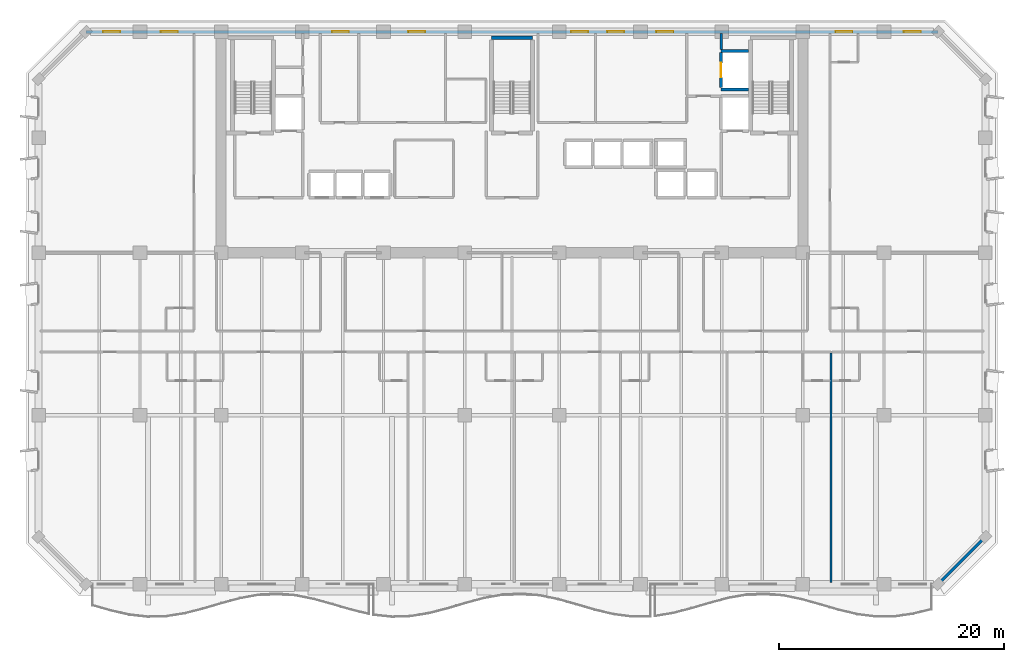
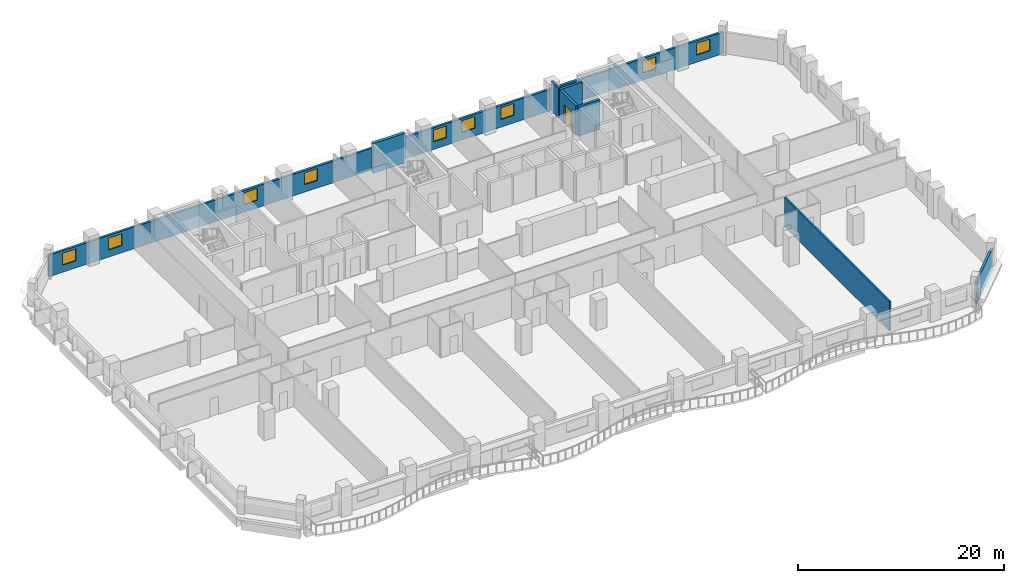
# One storey, part 8 of 14: 9 windows, 8 walls, 1 door, 10 openings.
"""IFC4 building model written with IfcOpenShell, lengths in metres."""

from ifc_helpers import new_model, si_unit, direction, frame, frame_2d, origin, place, context, subcontext, project, spatial, rectangle, extrude, material, layer, layer_set, type_object, element, fill, save


model = new_model("IFC4")

# Units and contexts
model_context = context("Model", 3, precision=1e-05, world=origin(), true_north=direction((0.0, 1.0)))
body_context = subcontext(model_context, "Body", "Model", "MODEL_VIEW")
ifc_project = project(units=[si_unit("LENGTHUNIT", "METRE"), si_unit("AREAUNIT", "SQUARE_METRE"), si_unit("VOLUMEUNIT", "CUBIC_METRE"), si_unit("PLANEANGLEUNIT", "RADIAN"), si_unit("MASSUNIT", "GRAM", prefix="KILO")], contexts=[model_context])

# Site, building, storey
site_placement = place(None, origin())
site = spatial("IfcSite", under=ifc_project, at=site_placement, CompositionType="ELEMENT")
building_placement = place(site_placement, origin())
building = spatial("IfcBuilding", under=site, at=building_placement, Name="Kaelvorn Grand Hotel", CompositionType="ELEMENT")
storey_placement = place(building_placement, frame((0.0, 0.0, 93.050048828125)))
storey = spatial("IfcBuildingStorey", under=building, at=storey_placement, Name="L21", CompositionType="ELEMENT", Elevation=93.050048828125)

# Wall
ifc_material_1 = material(Name="Concrete C40/50", Category="concrete")
ifc_layer_1 = layer(ifc_material_1, 0.260009765625)
ifc_layer_set_1 = layer_set([ifc_layer_1], Name="Concrete C40/50")
wall_type_1 = type_object("IfcWallType", Name="WL-EXT-260-C40", PredefinedType="SOLIDWALL", material=ifc_layer_set_1)
wall_1_placement = place(storey_placement, frame((79.800048828125, 0.0, 0.0), z_axis=(0.0, 0.0, 1.0), x_axis=(0.707106781187, 0.707106781187, 0.0)))
element("IfcWall", 1, at=wall_1_placement, inside=storey, type_object=wall_type_1, Name="L21 Exterior Architectural Concrete Wall 02", PredefinedType="SOLIDWALL", context=body_context, shape_type="SweptSolid", body=[
    extrude(rectangle(XDim=5.939697265625, YDim=0.260009765625, at=frame_2d((2.9697265625, 0.0))), origin(), (0.0, 0.0, 1.0), 2.56005859375),
])

# Wall, openings, windows
wall_2_placement = place(storey_placement, frame((79.800048828125, 49.0, 0.0), z_axis=(0.0, 0.0, 1.0), x_axis=(-1.0, 0.0, 0.0)))
wall_2 = element("IfcWall", 2, at=wall_2_placement, inside=storey, type_object=wall_type_1, Name="L21 Exterior Architectural Concrete Wall 05", PredefinedType="SOLIDWALL", context=body_context, shape_type="SweptSolid", body=[
    extrude(rectangle(XDim=75.60009765625, YDim=0.260009765625, at=frame_2d((37.800048828125, 0.0))), origin(), (0.0, 0.0, 1.0), 2.56005859375),
])
opening_1_placement = place(wall_2_placement, frame((72.56494140625, 0.0, 0.85009765625)))
opening_1 = element("IfcOpeningElement", 3, at=opening_1_placement, cuts=wall_2, Name="Opening W10", PredefinedType="OPENING", context=body_context, shape_type="SweptSolid", body=[
    extrude(rectangle(XDim=1.5, YDim=1.39990234375, at=frame_2d((0.75, 0.699951171875))), frame((0.0, 0.14013671875, 0.0), z_axis=(0.0, -1.0, 0.0), x_axis=(1.0, 0.0, 0.0)), (0.0, 0.0, 1.0), 0.280029296875),
])
opening_2_placement = place(wall_2_placement, frame((67.449951171875, 0.0, 0.85009765625)))
opening_2 = element("IfcOpeningElement", 4, at=opening_2_placement, cuts=wall_2, Name="Opening W10", PredefinedType="OPENING", context=body_context, shape_type="SweptSolid", body=[
    extrude(rectangle(XDim=1.5, YDim=1.39990234375, at=frame_2d((0.75, 0.699951171875))), frame((0.0, 0.14013671875, 0.0), z_axis=(0.0, -1.0, 0.0), x_axis=(1.0, 0.0, 0.0)), (0.0, 0.0, 1.0), 0.280029296875),
])
opening_3_placement = place(wall_2_placement, frame((7.60009765625, 0.0, 0.85009765625)))
opening_3 = element("IfcOpeningElement", 5, at=opening_3_placement, cuts=wall_2, Name="Opening W10", PredefinedType="OPENING", context=body_context, shape_type="SweptSolid", body=[
    extrude(rectangle(XDim=1.5, YDim=1.39990234375, at=frame_2d((0.75, 0.699951171875))), frame((0.0, 0.14013671875, 0.0), z_axis=(0.0, -1.0, 0.0), x_axis=(1.0, 0.0, 0.0)), (0.0, 0.0, 1.0), 0.280029296875),
])
opening_4_placement = place(wall_2_placement, frame((1.534912109375, 0.0, 0.85009765625)))
opening_4 = element("IfcOpeningElement", 6, at=opening_4_placement, cuts=wall_2, Name="Opening W10", PredefinedType="OPENING", context=body_context, shape_type="SweptSolid", body=[
    extrude(rectangle(XDim=1.5, YDim=1.39990234375, at=frame_2d((0.75, 0.699951171875))), frame((0.0, 0.14013671875, 0.0), z_axis=(0.0, -1.0, 0.0), x_axis=(1.0, 0.0, 0.0)), (0.0, 0.0, 1.0), 0.280029296875),
])
opening_5_placement = place(wall_2_placement, frame((52.264892578125, 0.0, 0.89990234375)))
opening_5 = element("IfcOpeningElement", 7, at=opening_5_placement, cuts=wall_2, Name="Opening W10", PredefinedType="OPENING", context=body_context, shape_type="SweptSolid", body=[
    extrude(rectangle(XDim=1.5, YDim=1.39990234375, at=frame_2d((0.75, 0.699951171875))), frame((0.0, 0.14013671875, 0.0), z_axis=(0.0, -1.0, 0.0), x_axis=(1.0, 0.0, 0.0)), (0.0, 0.0, 1.0), 0.280029296875),
])
opening_6_placement = place(wall_2_placement, frame((45.5, 0.0, 0.89990234375)))
opening_6 = element("IfcOpeningElement", 8, at=opening_6_placement, cuts=wall_2, Name="Opening W10", PredefinedType="OPENING", context=body_context, shape_type="SweptSolid", body=[
    extrude(rectangle(XDim=1.5, YDim=1.39990234375, at=frame_2d((0.75, 0.699951171875))), frame((0.0, 0.14013671875, 0.0), z_axis=(0.0, -1.0, 0.0), x_axis=(1.0, 0.0, 0.0)), (0.0, 0.0, 1.0), 0.280029296875),
])
opening_7_placement = place(wall_2_placement, frame((31.050048828125, 0.0, 0.89990234375)))
opening_7 = element("IfcOpeningElement", 9, at=opening_7_placement, cuts=wall_2, Name="Opening W10", PredefinedType="OPENING", context=body_context, shape_type="SweptSolid", body=[
    extrude(rectangle(XDim=1.5, YDim=1.39990234375, at=frame_2d((0.75, 0.699951171875))), frame((0.0, 0.14013671875, 0.0), z_axis=(0.0, -1.0, 0.0), x_axis=(1.0, 0.0, 0.0)), (0.0, 0.0, 1.0), 0.280029296875),
])
opening_8_placement = place(wall_2_placement, frame((27.85009765625, 0.0, 0.89990234375)))
opening_8 = element("IfcOpeningElement", 10, at=opening_8_placement, cuts=wall_2, Name="Opening W10", PredefinedType="OPENING", context=body_context, shape_type="SweptSolid", body=[
    extrude(rectangle(XDim=1.5, YDim=1.39990234375, at=frame_2d((0.75, 0.699951171875))), frame((0.0, 0.14013671875, 0.0), z_axis=(0.0, -1.0, 0.0), x_axis=(1.0, 0.0, 0.0)), (0.0, 0.0, 1.0), 0.280029296875),
])
opening_9_placement = place(wall_2_placement, frame((23.485107421875, 0.0, 0.89990234375)))
opening_9 = element("IfcOpeningElement", 11, at=opening_9_placement, cuts=wall_2, Name="Opening W10", PredefinedType="OPENING", context=body_context, shape_type="SweptSolid", body=[
    extrude(rectangle(XDim=1.5, YDim=1.39990234375, at=frame_2d((0.75, 0.699951171875))), frame((0.0, 0.14013671875, 0.0), z_axis=(0.0, -1.0, 0.0), x_axis=(1.0, 0.0, 0.0)), (0.0, 0.0, 1.0), 0.280029296875),
])
ifc_material_2 = material(Name="Laminated Low-E Glass", Category="glass")
window_type = type_object("IfcWindowType", Name="WIN-COR-1500x1400", PartitioningType="SINGLE_PANEL", PredefinedType="WINDOW", material=ifc_material_2)
window_1_placement = place(opening_1_placement, origin())
window_1 = element("IfcWindow", 12, at=window_1_placement, inside=storey, type_object=window_type, Name="L21 North Wing Ribbon Window NW01", OverallHeight=1.39990234375, OverallWidth=1.5, PartitioningType="SINGLE_PANEL", PredefinedType="WINDOW", context=body_context, shape_type="SweptSolid", body=[
    extrude(rectangle(XDim=1.5, YDim=1.39990234375, at=frame_2d((0.75, 0.699951171875))), frame((0.0, 0.030029296875, 0.0), z_axis=(0.0, -1.0, 0.0), x_axis=(1.0, 0.0, 0.0)), (0.0, 0.0, 1.0), 0.06005859375),
])
fill(opening_1, window_1)
window_2_placement = place(opening_2_placement, origin())
window_2 = element("IfcWindow", 13, at=window_2_placement, inside=storey, type_object=window_type, Name="L21 North Wing Ribbon Window NW02", OverallHeight=1.39990234375, OverallWidth=1.5, PartitioningType="SINGLE_PANEL", PredefinedType="WINDOW", context=body_context, shape_type="SweptSolid", body=[
    extrude(rectangle(XDim=1.5, YDim=1.39990234375, at=frame_2d((0.75, 0.699951171875))), frame((0.0, 0.030029296875, 0.0), z_axis=(0.0, -1.0, 0.0), x_axis=(1.0, 0.0, 0.0)), (0.0, 0.0, 1.0), 0.06005859375),
])
fill(opening_2, window_2)
window_3_placement = place(opening_3_placement, origin())
window_3 = element("IfcWindow", 14, at=window_3_placement, inside=storey, type_object=window_type, Name="L21 North Wing Ribbon Window NW03", OverallHeight=1.39990234375, OverallWidth=1.5, PartitioningType="SINGLE_PANEL", PredefinedType="WINDOW", context=body_context, shape_type="SweptSolid", body=[
    extrude(rectangle(XDim=1.5, YDim=1.39990234375, at=frame_2d((0.75, 0.699951171875))), frame((0.0, 0.030029296875, 0.0), z_axis=(0.0, -1.0, 0.0), x_axis=(1.0, 0.0, 0.0)), (0.0, 0.0, 1.0), 0.06005859375),
])
fill(opening_3, window_3)
window_4_placement = place(opening_4_placement, origin())
window_4 = element("IfcWindow", 15, at=window_4_placement, inside=storey, type_object=window_type, Name="L21 North Wing Ribbon Window NW04", OverallHeight=1.39990234375, OverallWidth=1.5, PartitioningType="SINGLE_PANEL", PredefinedType="WINDOW", context=body_context, shape_type="SweptSolid", body=[
    extrude(rectangle(XDim=1.5, YDim=1.39990234375, at=frame_2d((0.75, 0.699951171875))), frame((0.0, 0.030029296875, 0.0), z_axis=(0.0, -1.0, 0.0), x_axis=(1.0, 0.0, 0.0)), (0.0, 0.0, 1.0), 0.06005859375),
])
fill(opening_4, window_4)
window_5_placement = place(opening_5_placement, origin())
window_5 = element("IfcWindow", 16, at=window_5_placement, inside=storey, type_object=window_type, Name="L21 North Core Clerestory Ribbon Window NC05", OverallHeight=1.39990234375, OverallWidth=1.5, PartitioningType="SINGLE_PANEL", PredefinedType="WINDOW", context=body_context, shape_type="SweptSolid", body=[
    extrude(rectangle(XDim=1.5, YDim=1.39990234375, at=frame_2d((0.75, 0.699951171875))), frame((0.0, 0.030029296875, 0.0), z_axis=(0.0, -1.0, 0.0), x_axis=(1.0, 0.0, 0.0)), (0.0, 0.0, 1.0), 0.06005859375),
])
fill(opening_5, window_5)
window_6_placement = place(opening_6_placement, origin())
window_6 = element("IfcWindow", 17, at=window_6_placement, inside=storey, type_object=window_type, Name="L21 North Core Clerestory Ribbon Window NC06", OverallHeight=1.39990234375, OverallWidth=1.5, PartitioningType="SINGLE_PANEL", PredefinedType="WINDOW", context=body_context, shape_type="SweptSolid", body=[
    extrude(rectangle(XDim=1.5, YDim=1.39990234375, at=frame_2d((0.75, 0.699951171875))), frame((0.0, 0.030029296875, 0.0), z_axis=(0.0, -1.0, 0.0), x_axis=(1.0, 0.0, 0.0)), (0.0, 0.0, 1.0), 0.06005859375),
])
fill(opening_6, window_6)
window_7_placement = place(opening_7_placement, origin())
window_7 = element("IfcWindow", 18, at=window_7_placement, inside=storey, type_object=window_type, Name="L21 North Core Clerestory Ribbon Window NC07", OverallHeight=1.39990234375, OverallWidth=1.5, PartitioningType="SINGLE_PANEL", PredefinedType="WINDOW", context=body_context, shape_type="SweptSolid", body=[
    extrude(rectangle(XDim=1.5, YDim=1.39990234375, at=frame_2d((0.75, 0.699951171875))), frame((0.0, 0.030029296875, 0.0), z_axis=(0.0, -1.0, 0.0), x_axis=(1.0, 0.0, 0.0)), (0.0, 0.0, 1.0), 0.06005859375),
])
fill(opening_7, window_7)
window_8_placement = place(opening_8_placement, origin())
window_8 = element("IfcWindow", 19, at=window_8_placement, inside=storey, type_object=window_type, Name="L21 North Core Clerestory Ribbon Window NC08", OverallHeight=1.39990234375, OverallWidth=1.5, PartitioningType="SINGLE_PANEL", PredefinedType="WINDOW", context=body_context, shape_type="SweptSolid", body=[
    extrude(rectangle(XDim=1.5, YDim=1.39990234375, at=frame_2d((0.75, 0.699951171875))), frame((0.0, 0.030029296875, 0.0), z_axis=(0.0, -1.0, 0.0), x_axis=(1.0, 0.0, 0.0)), (0.0, 0.0, 1.0), 0.06005859375),
])
fill(opening_8, window_8)
window_9_placement = place(opening_9_placement, origin())
window_9 = element("IfcWindow", 20, at=window_9_placement, inside=storey, type_object=window_type, Name="L21 North Core Clerestory Ribbon Window NC09", OverallHeight=1.39990234375, OverallWidth=1.5, PartitioningType="SINGLE_PANEL", PredefinedType="WINDOW", context=body_context, shape_type="SweptSolid", body=[
    extrude(rectangle(XDim=1.5, YDim=1.39990234375, at=frame_2d((0.75, 0.699951171875))), frame((0.0, 0.030029296875, 0.0), z_axis=(0.0, -1.0, 0.0), x_axis=(1.0, 0.0, 0.0)), (0.0, 0.0, 1.0), 0.06005859375),
])
fill(opening_9, window_9)

# Walls
ifc_material_3 = material(Name="Acoustic Gypsum & Stud Partition")
ifc_layer_2 = layer(ifc_material_3, 0.179931640625)
ifc_layer_set_2 = layer_set([ifc_layer_2], Name="Acoustic Gypsum & Stud Partition")
wall_type_2 = type_object("IfcWallType", Name="WL-PART-180-EI60", PredefinedType="PARTITIONING", material=ifc_layer_set_2)
wall_3_placement = place(storey_placement, frame((70.31298828125, 0.14990234375, 0.0), z_axis=(0.0, 0.0, 1.0), x_axis=(0.0, 1.0, 0.0)))
element("IfcWall", 21, at=wall_3_placement, inside=storey, type_object=wall_type_2, Name="L21 Deluxe Panoramic Suite L21-07 E Partition", PredefinedType="PARTITIONING", context=body_context, shape_type="SweptSolid", body=[
    extrude(rectangle(XDim=20.35498046875, YDim=0.179931640625, at=frame_2d((10.177490234375, 0.0))), origin(), (0.0, 0.0, 1.0), 3.510009765625),
])
ifc_layer_3 = layer(ifc_material_1, 0.219970703125)
ifc_layer_set_3 = layer_set([ifc_layer_3], Name="Concrete C40/50")
wall_type_3 = type_object("IfcWallType", Name="WL-PART-220-EI120", PredefinedType="PARTITIONING", material=ifc_layer_set_3)
wall_4_placement = place(storey_placement, frame((60.550048828125, 47.445068359375, 0.0), z_axis=(0.0, 0.0, 1.0), x_axis=(0.0, 1.0, 0.0)))
element("IfcWall", 22, at=wall_4_placement, inside=storey, type_object=wall_type_3, Name="L21 Service Lift Lobby E Partition", PredefinedType="PARTITIONING", context=body_context, shape_type="SweptSolid", body=[
    extrude(rectangle(XDim=1.405029296875, YDim=0.219970703125, at=frame_2d((0.70263671875, 0.0))), origin(), (0.0, 0.0, 1.0), 3.510009765625),
])
ifc_material_4 = material(Name="Concrete C50/60", Category="concrete")
ifc_layer_4 = layer(ifc_material_4, 0.280029296875)
ifc_layer_set_4 = layer_set([ifc_layer_4], Name="Concrete C50/60")
wall_type_4 = type_object("IfcWallType", Name="WL-SHAFT-280-C50", PredefinedType="SHEAR", material=ifc_layer_set_4)
for number, where, z_axis, x_axis, name in (
    (23, (60.550048828125, 43.89990234375, 0.0), (0.0, 0.0, 1.0), (1.0, 0.0, 0.0), "L21 Lift SV1 Shaft South Wall"),
    (24, (60.550048828125, 47.300048828125, 0.0), (0.0, 0.0, 1.0), (1.0, 0.0, 0.0), "L21 Lift SV1 Shaft North Wall"),
):
    element("IfcWall", number, at=place(storey_placement, frame(where, z_axis=z_axis, x_axis=x_axis)), inside=storey, type_object=wall_type_4, Name=name, PredefinedType="SHEAR", context=body_context, shape_type="SweptSolid", body=[
        extrude(rectangle(XDim=2.4150390625, YDim=0.280029296875, at=frame_2d((1.20751953125, 0.0))), origin(), (0.0, 0.0, 1.0), 3.510009765625),
    ])

# Wall, opening, door
wall_5_placement = place(storey_placement, frame((60.550048828125, 44.044921875, 0.0), z_axis=(0.0, 0.0, 1.0), x_axis=(0.0, 1.0, 0.0)))
wall_5 = element("IfcWall", 25, at=wall_5_placement, inside=storey, type_object=wall_type_4, Name="L21 Lift SV1 Shaft West Wall", PredefinedType="SHEAR", context=body_context, shape_type="SweptSolid", body=[
    extrude(rectangle(XDim=3.110107421875, YDim=0.280029296875, at=frame_2d((1.55517578125, 0.0))), origin(), (0.0, 0.0, 1.0), 3.510009765625),
])
opening_10_placement = place(wall_5_placement, frame((0.905029296875, 0.0, 0.0)))
opening_10 = element("IfcOpeningElement", 26, at=opening_10_placement, cuts=wall_5, Name="Opening LD-SV1", PredefinedType="OPENING", context=body_context, shape_type="SweptSolid", body=[
    extrude(rectangle(XDim=1.300048828125, YDim=2.300048828125, at=frame_2d((0.64990234375, 1.14990234375))), frame((0.0, 0.14990234375, 0.0), z_axis=(0.0, -1.0, 0.0), x_axis=(1.0, 0.0, 0.0)), (0.0, 0.0, 1.0), 0.300048828125),
])
ifc_material_5 = material(Name="Stainless Steel", Category="steel")
door_type = type_object("IfcDoorType", Name="DR-LIFT-SERV-1300x2300", OperationType="DOUBLE_DOOR_SLIDING", PredefinedType="DOOR", material=ifc_material_5)
door_placement = place(opening_10_placement, origin())
door = element("IfcDoor", 27, at=door_placement, inside=storey, type_object=door_type, Name="L21 Lift SV1 Sliding Landing Door LD-SV1", OperationType="DOUBLE_DOOR_SLIDING", OverallHeight=2.300048828125, OverallWidth=1.300048828125, PredefinedType="DOOR", context=body_context, shape_type="SweptSolid", body=[
    extrude(rectangle(XDim=1.300048828125, YDim=2.300048828125, at=frame_2d((0.64990234375, 1.14990234375))), frame((0.0, 0.02490234375, 0.0), z_axis=(0.0, -1.0, 0.0), x_axis=(1.0, 0.0, 0.0)), (0.0, 0.0, 1.0), 0.050048828125),
])
fill(opening_10, door)

# Wall
ifc_material_6 = material(Name="Concrete C60/75", Category="concrete")
ifc_layer_5 = layer(ifc_material_6, 0.35009765625)
ifc_layer_set_5 = layer_set([ifc_layer_5], Name="Concrete C60/75")
wall_type_5 = type_object("IfcWallType", Name="WL-SHAFT-350-C60", PredefinedType="SHEAR", material=ifc_layer_set_5)
wall_6_placement = place(storey_placement, frame((40.18505859375, 48.47509765625, 0.0), z_axis=(0.0, 0.0, 1.0), x_axis=(1.0, 0.0, 0.0)))
element("IfcWall", 28, at=wall_6_placement, inside=storey, type_object=wall_type_5, Name="L21 ST2 Stair Shaft North Wall", PredefinedType="SHEAR", context=body_context, shape_type="SweptSolid", body=[
    extrude(rectangle(XDim=3.6298828125, YDim=0.35009765625, at=frame_2d((1.81494140625, 0.0))), origin(), (0.0, 0.0, 1.0), 3.510009765625),
])

save(model, "model.ifc")
